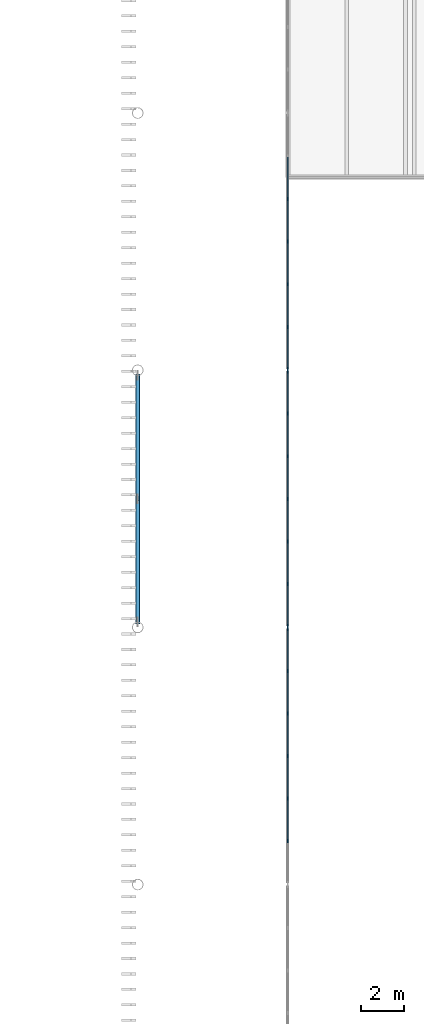
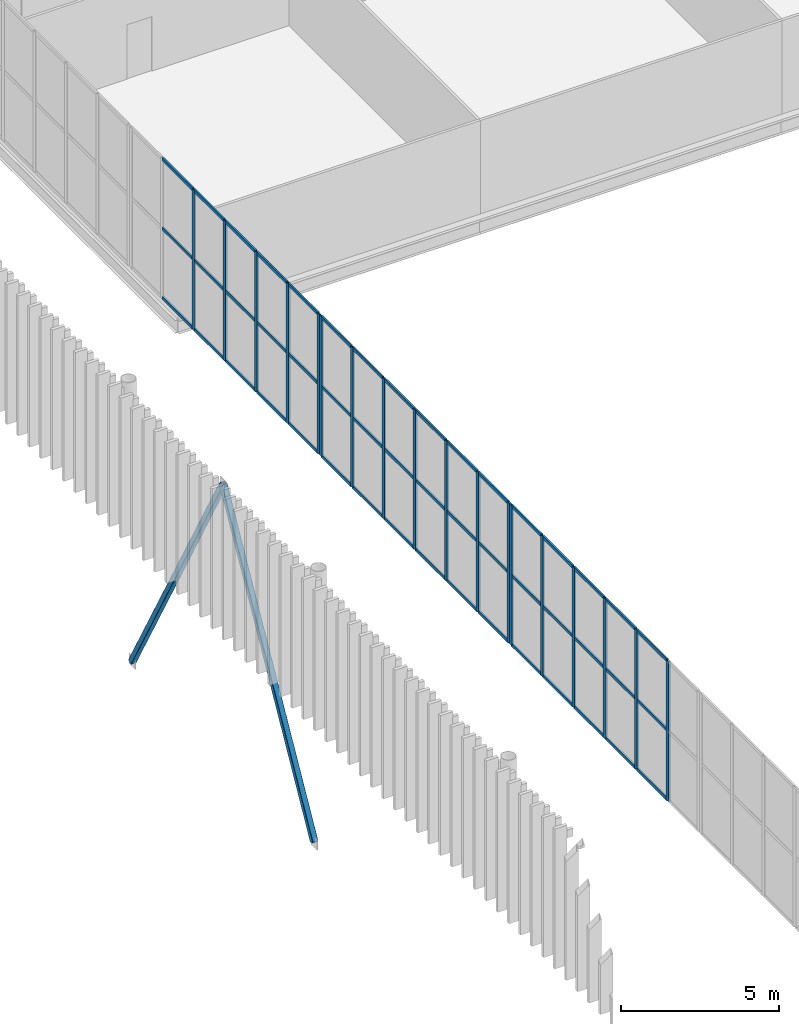
# One storey, part 62 of 170: 68 members, 3 elements without a shape of their own.
"""IFC4 building model written with IfcOpenShell, lengths in metres."""

import ifcopenshell
import ifcopenshell.guid

model = None  # the IFC model being written
_history = None  # IfcOwnerHistory: only IFC2X3 demands one
_inside = {}  # id of a spatial element -> (the spatial element, [elements in it])
_under = {}  # id of a project, library or spatial element -> (it, [spatial elements below it])
_declared = {}  # id of a project -> (the project, [libraries it declares])
_typed = {}  # id of a type object -> (the type object, [elements of that type])
_made_of = {}  # id of a material, layer set ... -> (it, [elements and type objects made of it])


def new_model(schema):
    """Start an empty IFC model of exactly this schema.

    Asked for "IFC4X3", IfcOpenShell would pick the latest addendum, in which some entities
    have other attributes; the version numbers below select the first issue.
    IFC2X3 requires an IfcOwnerHistory on every rooted entity: one is made here for all.
    """
    global model, _history
    if schema == "IFC4X3":
        model = ifcopenshell.file(schema_version=(4, 3, 0, 0))
    else:
        model = ifcopenshell.file(schema=schema)
    _inside.clear()
    _under.clear()
    _declared.clear()
    _typed.clear()
    _made_of.clear()
    _history = None
    if model.schema == "IFC2X3":
        org = make("IfcOrganization", Name="unknown")
        user = make(
            "IfcPersonAndOrganization",
            ThePerson=make("IfcPerson", FamilyName="unknown"),
            TheOrganization=org,
        )
        app = make(
            "IfcApplication",
            ApplicationDeveloper=org,
            Version="unknown",
            ApplicationFullName="unknown",
            ApplicationIdentifier="unknown",
        )
        _history = make(
            "IfcOwnerHistory",
            OwningUser=user,
            OwningApplication=app,
            ChangeAction="ADDED",
            CreationDate=0,
        )
    return model


def make(cls, **values):
    """One entity of the class cls with the attributes given. An attribute that is None is left unset."""
    return model.create_entity(
        cls, **{name: value for name, value in values.items() if value is not None}
    )


def rooted(cls, **values):
    """An entity with a GlobalId (a new one), such as an element, a storey or a relation."""
    return make(cls, GlobalId=ifcopenshell.guid.new(), OwnerHistory=_history, **values)


def si_unit(unit_type, name, prefix=None):
    """IfcSIUnit, for example si_unit("LENGTHUNIT", "METRE", prefix="MILLI")."""
    return make("IfcSIUnit", UnitType=unit_type, Prefix=prefix, Name=name)


def assignment(units):
    """IfcUnitAssignment: the units of a project."""
    return None if units is None else make("IfcUnitAssignment", Units=units)


def point(xyz):
    """IfcCartesianPoint."""
    return None if xyz is None else make("IfcCartesianPoint", Coordinates=xyz)


def direction(xyz):
    """IfcDirection."""
    return None if xyz is None else make("IfcDirection", DirectionRatios=xyz)


def frame(location, z_axis=None, x_axis=None):
    """IfcAxis2Placement3D, a coordinate frame: its origin and axes. An axis left out is left unset."""
    return make(
        "IfcAxis2Placement3D",
        Location=point(location),
        Axis=direction(z_axis),
        RefDirection=direction(x_axis),
    )


def frame_2d(location, x_axis=None):
    """IfcAxis2Placement2D, a coordinate frame in the plane: its origin and x axis."""
    return make(
        "IfcAxis2Placement2D", Location=point(location), RefDirection=direction(x_axis)
    )


def origin():
    """The frame at (0, 0, 0) with its axes left unset."""
    return frame((0.0, 0.0, 0.0))


def origin_2d():
    """The frame at (0, 0) in the plane with its x axis left unset."""
    return frame_2d((0.0, 0.0))


def place(relative_to, where):
    """IfcLocalPlacement: puts the frame where relative to a parent placement (None: the world)."""
    return make(
        "IfcLocalPlacement", PlacementRelTo=relative_to, RelativePlacement=where
    )


def context(
    kind, dimensions, precision=None, world=None, true_north=None, identifier=None
):
    """IfcGeometricRepresentationContext, for example the 3D "Model" context."""
    return make(
        "IfcGeometricRepresentationContext",
        ContextIdentifier=identifier,
        ContextType=kind,
        CoordinateSpaceDimension=dimensions,
        Precision=precision,
        WorldCoordinateSystem=world,
        TrueNorth=true_north,
    )


def subcontext(parent, identifier, kind, view, scale=None):
    """IfcGeometricRepresentationSubContext, for example "Body" below "Model"."""
    return make(
        "IfcGeometricRepresentationSubContext",
        ContextIdentifier=identifier,
        ContextType=kind,
        ParentContext=parent,
        TargetScale=scale,
        TargetView=view,
    )


def project(units=None, contexts=None):
    """IfcProject with its units and contexts."""
    return rooted(
        "IfcProject",
        Name="project",
        RepresentationContexts=contexts,
        UnitsInContext=assignment(units),
    )


def spatial(cls, under=None, at=None, **own):
    """A site, building, storey or space (cls), placed at a placement, below another one or the project."""
    s = rooted(cls, ObjectPlacement=at, **own)
    if under is not None:
        _under.setdefault(under.id(), (under, []))[1].append(s)
    return s


def profile(cls, at=None, kind="AREA", **sizes):
    """A parametric profile (cls). Its sizes go by their IFC names, for example OverallWidth=200.0."""
    return make(cls, ProfileType=kind, Position=at, **sizes)


def rectangle(**sizes):
    """IfcRectangleProfileDef."""
    return profile("IfcRectangleProfileDef", **sizes)


def hollow_rectangle(**sizes):
    """IfcRectangleHollowProfileDef."""
    return profile("IfcRectangleHollowProfileDef", **sizes)


def extrude(swept, where, along, depth):
    """IfcExtrudedAreaSolid: the profile swept, set in the frame where, extruded along a direction by depth."""
    return make(
        "IfcExtrudedAreaSolid",
        SweptArea=swept,
        Position=where,
        ExtrudedDirection=direction(along),
        Depth=depth,
    )


def shape(context_of_items, identifier, shape_type, items):
    """IfcShapeRepresentation: the items that make up one representation, for example the "Body"."""
    return make(
        "IfcShapeRepresentation",
        ContextOfItems=context_of_items,
        RepresentationIdentifier=identifier,
        RepresentationType=shape_type,
        Items=items,
    )


def material(Name=None, Category=None):
    """IfcMaterial."""
    return make("IfcMaterial", Name=Name, Category=Category)


def layer(
    of_material, thickness, ventilated=None, Name=None, Category=None, Priority=None
):
    """IfcMaterialLayer: one layer of a wall or slab, of a material (None: an air gap)."""
    return make(
        "IfcMaterialLayer",
        Material=of_material,
        LayerThickness=thickness,
        IsVentilated=ventilated,
        Name=Name,
        Category=Category,
        Priority=Priority,
    )


def layer_set(layers, Name=None):
    """IfcMaterialLayerSet."""
    return make("IfcMaterialLayerSet", MaterialLayers=layers, LayerSetName=Name)


def material_profile(
    of_material, cross_section, Name=None, Category=None, Priority=None
):
    """IfcMaterialProfile: a cross section and its material."""
    return make(
        "IfcMaterialProfile",
        Name=Name,
        Material=of_material,
        Profile=cross_section,
        Priority=Priority,
        Category=Category,
    )


def profile_set(profiles, Name=None, composite=None):
    """IfcMaterialProfileSet."""
    return make(
        "IfcMaterialProfileSet",
        Name=Name,
        MaterialProfiles=profiles,
        CompositeProfile=composite,
    )


def made_of(thing, what):
    """Note that an element or type object is made of a material, layer set ...; save() writes the relation."""
    if what is not None:
        _made_of.setdefault(what.id(), (what, []))[1].append(thing)
    return thing


def type_object(cls, material=None, **own):
    """A type object (cls), such as IfcWallType, which elements share."""
    return made_of(rooted(cls, **own), material)


def element(
    cls,
    number,
    at=None,
    inside=None,
    cuts=None,
    type_object=None,
    material=None,
    context=None,
    identifier="Body",
    shape_type=None,
    held_by="IfcProductDefinitionShape",
    body=None,
    shapes=None,
    **own,
):
    """One element of the class cls, such as IfcWall. Its Tag is "e" and its number.

    at: its placement. inside: the storey or other place that contains it. cuts: it is an
    opening in that element (IfcRelVoidsElement). A single representation is given by context,
    identifier, shape_type and body (its items); several are given by shapes. held_by: the class
    of the entity that holds the representations. save() writes the other relations.
    """
    e = rooted(cls, Tag="e%d" % number, ObjectPlacement=at, **own)
    if body is not None:
        shapes = [shape(context, identifier, shape_type, body)]
    if shapes is not None:
        e.Representation = make(held_by, Representations=shapes)
    if inside is not None:
        _inside.setdefault(inside.id(), (inside, []))[1].append(e)
    if cuts is not None:
        rooted(
            "IfcRelVoidsElement", RelatingBuildingElement=cuts, RelatedOpeningElement=e
        )
    if type_object is not None:
        _typed.setdefault(type_object.id(), (type_object, []))[1].append(e)
    return made_of(e, material)


def aggregate(whole, parts):
    """IfcRelAggregates: a whole, such as a stair, and the parts it consists of."""
    return rooted("IfcRelAggregates", RelatingObject=whole, RelatedObjects=parts)


def save(model, path):
    """Write the relations noted so far, then the file.

    IfcRelAggregates (storeys below a building ...), IfcRelContainedInSpatialStructure (elements
    in a storey), IfcRelDefinesByType, IfcRelAssociatesMaterial and IfcRelDeclares: one each for
    every whole, place, type object, material and project.
    """
    for whole, parts in _under.values():
        aggregate(whole, parts)
    for where, things in _inside.values():
        rooted(
            "IfcRelContainedInSpatialStructure",
            RelatedElements=things,
            RelatingStructure=where,
        )
    for kind, things in _typed.values():
        rooted("IfcRelDefinesByType", RelatedObjects=things, RelatingType=kind)
    for what, things in _made_of.values():
        rooted("IfcRelAssociatesMaterial", RelatedObjects=things, RelatingMaterial=what)
    for by, libraries in _declared.values():
        rooted("IfcRelDeclares", RelatingContext=by, RelatedDefinitions=libraries)
    model.write(path)


model = new_model("IFC4")

# Units and contexts
model_context = context("Model", 3, precision=1e-05, world=origin(), true_north=direction((0.0, 1.0)))
body_context = subcontext(model_context, "Body", "Model", "MODEL_VIEW")
ifc_project = project(units=[si_unit("LENGTHUNIT", "METRE"), si_unit("AREAUNIT", "SQUARE_METRE"), si_unit("VOLUMEUNIT", "CUBIC_METRE"), si_unit("PLANEANGLEUNIT", "RADIAN"), si_unit("MASSUNIT", "GRAM", prefix="KILO")], contexts=[model_context])

# Site, building, storey
site_placement = place(None, origin())
site = spatial("IfcSite", under=ifc_project, at=site_placement, CompositionType="ELEMENT")
building_placement = place(site_placement, origin())
building = spatial("IfcBuilding", under=site, at=building_placement, Name="Ravi Spectrum Wholesale Market", CompositionType="ELEMENT")
storey_placement = place(building_placement, frame((0.0, 0.0, 5.39990234375)))
storey = spatial("IfcBuildingStorey", under=building, at=storey_placement, Name="L01", CompositionType="ELEMENT", Elevation=5.39990234375)

# Curtain wall, members
ifc_material_1 = material(Name="Aluminium 6063-T6", Category="aluminium")
ifc_layer = layer(ifc_material_1, 0.14990234375)
ifc_layer_set = layer_set([ifc_layer], Name="Aluminium 6063-T6")
curtain_wall_type = type_object("IfcCurtainWallType", Name="Curtain wall 150", PredefinedType="NOTDEFINED", material=ifc_layer_set)
curtain_wall_1_placement = place(storey_placement, origin())
curtain_wall_1 = element("IfcCurtainWall", 1, at=curtain_wall_1_placement, inside=storey, type_object=curtain_wall_type, Name="H1-CW-L01-010", PredefinedType="NOTDEFINED")
ifc_material_2 = material(Name="Aluminium 6063-T6", Category="aluminium")
ifc_material_profile_1 = material_profile(ifc_material_2, rectangle(XDim=0.06005859375, YDim=0.159912109375, at=origin_2d()))
ifc_profile_set_1 = profile_set([ifc_material_profile_1], Name="Aluminium 6063-T6")
member_type_1 = type_object("IfcMemberType", Name="Mullion 60 x 160", PredefinedType="MULLION", material=ifc_profile_set_1)
member_1_placement = place(storey_placement, frame((37.0, 140.026611328125, 0.0), z_axis=(0.0, 0.0, 1.0), x_axis=(-1.0, 0.0, 0.0)))
member_1 = element("IfcMember", 2, at=member_1_placement, type_object=member_type_1, Name="H1-CW-L01-010 mullion 2", PredefinedType="MULLION", context=body_context, shape_type="SweptSolid", body=[
    extrude(rectangle(XDim=0.06005859375, YDim=0.159912109375, at=origin_2d()), origin(), (0.0, 0.0, 1.0), 5.400146484375),
])
member_2_placement = place(storey_placement, frame((37.0, 142.013427734375, 0.0), z_axis=(0.0, 0.0, 1.0), x_axis=(-1.0, 0.0, 0.0)))
member_2 = element("IfcMember", 3, at=member_2_placement, type_object=member_type_1, Name="H1-CW-L01-010 mullion 3", PredefinedType="MULLION", context=body_context, shape_type="SweptSolid", body=[
    extrude(rectangle(XDim=0.06005859375, YDim=0.159912109375, at=origin_2d()), origin(), (0.0, 0.0, 1.0), 5.400146484375),
])
member_3_placement = place(storey_placement, frame((37.0, 144.0, 0.0), z_axis=(0.0, 0.0, 1.0), x_axis=(-1.0, 0.0, 0.0)))
member_3 = element("IfcMember", 4, at=member_3_placement, type_object=member_type_1, Name="H1-CW-L01-010 mullion 4", PredefinedType="MULLION", context=body_context, shape_type="SweptSolid", body=[
    extrude(rectangle(XDim=0.06005859375, YDim=0.159912109375, at=origin_2d()), origin(), (0.0, 0.0, 1.0), 5.400146484375),
])
member_4_placement = place(storey_placement, frame((37.0, 145.986572265625, 0.0), z_axis=(0.0, 0.0, 1.0), x_axis=(-1.0, 0.0, 0.0)))
member_4 = element("IfcMember", 5, at=member_4_placement, type_object=member_type_1, Name="H1-CW-L01-010 mullion 5", PredefinedType="MULLION", context=body_context, shape_type="SweptSolid", body=[
    extrude(rectangle(XDim=0.06005859375, YDim=0.159912109375, at=origin_2d()), origin(), (0.0, 0.0, 1.0), 5.400146484375),
])
member_5_placement = place(storey_placement, frame((37.0, 147.973388671875, 0.0), z_axis=(0.0, 0.0, 1.0), x_axis=(-1.0, 0.0, 0.0)))
member_5 = element("IfcMember", 6, at=member_5_placement, type_object=member_type_1, Name="H1-CW-L01-010 mullion 6", PredefinedType="MULLION", context=body_context, shape_type="SweptSolid", body=[
    extrude(rectangle(XDim=0.06005859375, YDim=0.159912109375, at=origin_2d()), origin(), (0.0, 0.0, 1.0), 5.400146484375),
])
member_6_placement = place(storey_placement, frame((37.0, 149.929931640625, 0.0), z_axis=(0.0, 0.0, 1.0), x_axis=(-1.0, 0.0, 0.0)))
member_6 = element("IfcMember", 7, at=member_6_placement, type_object=member_type_1, Name="H1-CW-L01-010 mullion 7", PredefinedType="MULLION", context=body_context, shape_type="SweptSolid", body=[
    extrude(rectangle(XDim=0.06005859375, YDim=0.159912109375, at=origin_2d()), origin(), (0.0, 0.0, 1.0), 5.400146484375),
])

curtain_wall_2_placement = place(storey_placement, origin())
curtain_wall_2 = element("IfcCurtainWall", 8, at=curtain_wall_2_placement, inside=storey, type_object=curtain_wall_type, Name="H1-CW-L01-011", PredefinedType="NOTDEFINED")
member_7_placement = place(storey_placement, frame((37.0, 150.070068359375, 0.0), z_axis=(0.0, 0.0, 1.0), x_axis=(-1.0, 0.0, 0.0)))
member_7 = element("IfcMember", 9, at=member_7_placement, type_object=member_type_1, Name="H1-CW-L01-011 mullion 1", PredefinedType="MULLION", context=body_context, shape_type="SweptSolid", body=[
    extrude(rectangle(XDim=0.06005859375, YDim=0.159912109375, at=origin_2d()), origin(), (0.0, 0.0, 1.0), 5.400146484375),
])
member_8_placement = place(storey_placement, frame((37.0, 152.026611328125, 0.0), z_axis=(0.0, 0.0, 1.0), x_axis=(-1.0, 0.0, 0.0)))
member_8 = element("IfcMember", 10, at=member_8_placement, type_object=member_type_1, Name="H1-CW-L01-011 mullion 2", PredefinedType="MULLION", context=body_context, shape_type="SweptSolid", body=[
    extrude(rectangle(XDim=0.06005859375, YDim=0.159912109375, at=origin_2d()), origin(), (0.0, 0.0, 1.0), 5.400146484375),
])
member_9_placement = place(storey_placement, frame((37.0, 154.013427734375, 0.0), z_axis=(0.0, 0.0, 1.0), x_axis=(-1.0, 0.0, 0.0)))
member_9 = element("IfcMember", 11, at=member_9_placement, type_object=member_type_1, Name="H1-CW-L01-011 mullion 3", PredefinedType="MULLION", context=body_context, shape_type="SweptSolid", body=[
    extrude(rectangle(XDim=0.06005859375, YDim=0.159912109375, at=origin_2d()), origin(), (0.0, 0.0, 1.0), 5.400146484375),
])
member_10_placement = place(storey_placement, frame((37.0, 156.0, 0.0), z_axis=(0.0, 0.0, 1.0), x_axis=(-1.0, 0.0, 0.0)))
member_10 = element("IfcMember", 12, at=member_10_placement, type_object=member_type_1, Name="H1-CW-L01-011 mullion 4", PredefinedType="MULLION", context=body_context, shape_type="SweptSolid", body=[
    extrude(rectangle(XDim=0.06005859375, YDim=0.159912109375, at=origin_2d()), origin(), (0.0, 0.0, 1.0), 5.400146484375),
])
member_11_placement = place(storey_placement, frame((37.0, 157.986572265625, 0.0), z_axis=(0.0, 0.0, 1.0), x_axis=(-1.0, 0.0, 0.0)))
member_11 = element("IfcMember", 13, at=member_11_placement, type_object=member_type_1, Name="H1-CW-L01-011 mullion 5", PredefinedType="MULLION", context=body_context, shape_type="SweptSolid", body=[
    extrude(rectangle(XDim=0.06005859375, YDim=0.159912109375, at=origin_2d()), origin(), (0.0, 0.0, 1.0), 5.400146484375),
])
member_12_placement = place(storey_placement, frame((37.0, 159.973388671875, 0.0), z_axis=(0.0, 0.0, 1.0), x_axis=(-1.0, 0.0, 0.0)))
member_12 = element("IfcMember", 14, at=member_12_placement, type_object=member_type_1, Name="H1-CW-L01-011 mullion 6", PredefinedType="MULLION", context=body_context, shape_type="SweptSolid", body=[
    extrude(rectangle(XDim=0.06005859375, YDim=0.159912109375, at=origin_2d()), origin(), (0.0, 0.0, 1.0), 5.400146484375),
])
member_13_placement = place(storey_placement, frame((37.0, 161.929931640625, 0.0), z_axis=(0.0, 0.0, 1.0), x_axis=(-1.0, 0.0, 0.0)))
member_13 = element("IfcMember", 15, at=member_13_placement, type_object=member_type_1, Name="H1-CW-L01-011 mullion 7", PredefinedType="MULLION", context=body_context, shape_type="SweptSolid", body=[
    extrude(rectangle(XDim=0.06005859375, YDim=0.159912109375, at=origin_2d()), origin(), (0.0, 0.0, 1.0), 5.400146484375),
])

curtain_wall_3_placement = place(storey_placement, origin())
curtain_wall_3 = element("IfcCurtainWall", 16, at=curtain_wall_3_placement, inside=storey, type_object=curtain_wall_type, Name="H1-CW-L01-012", PredefinedType="NOTDEFINED")
member_14_placement = place(storey_placement, frame((37.0, 162.070068359375, 0.0), z_axis=(0.0, 0.0, 1.0), x_axis=(-1.0, 0.0, 0.0)))
member_14 = element("IfcMember", 17, at=member_14_placement, type_object=member_type_1, Name="H1-CW-L01-012 mullion 1", PredefinedType="MULLION", context=body_context, shape_type="SweptSolid", body=[
    extrude(rectangle(XDim=0.06005859375, YDim=0.159912109375, at=origin_2d()), origin(), (0.0, 0.0, 1.0), 5.400146484375),
])
member_15_placement = place(storey_placement, frame((37.0, 164.026611328125, 0.0), z_axis=(0.0, 0.0, 1.0), x_axis=(-1.0, 0.0, 0.0)))
member_15 = element("IfcMember", 18, at=member_15_placement, type_object=member_type_1, Name="H1-CW-L01-012 mullion 2", PredefinedType="MULLION", context=body_context, shape_type="SweptSolid", body=[
    extrude(rectangle(XDim=0.06005859375, YDim=0.159912109375, at=origin_2d()), origin(), (0.0, 0.0, 1.0), 5.400146484375),
])
member_16_placement = place(storey_placement, frame((37.0, 166.013427734375, 0.0), z_axis=(0.0, 0.0, 1.0), x_axis=(-1.0, 0.0, 0.0)))
member_16 = element("IfcMember", 19, at=member_16_placement, type_object=member_type_1, Name="H1-CW-L01-012 mullion 3", PredefinedType="MULLION", context=body_context, shape_type="SweptSolid", body=[
    extrude(rectangle(XDim=0.06005859375, YDim=0.159912109375, at=origin_2d()), origin(), (0.0, 0.0, 1.0), 5.400146484375),
])
member_17_placement = place(storey_placement, frame((37.0, 168.0, 0.0), z_axis=(0.0, 0.0, 1.0), x_axis=(-1.0, 0.0, 0.0)))
member_17 = element("IfcMember", 20, at=member_17_placement, type_object=member_type_1, Name="H1-CW-L01-012 mullion 4", PredefinedType="MULLION", context=body_context, shape_type="SweptSolid", body=[
    extrude(rectangle(XDim=0.06005859375, YDim=0.159912109375, at=origin_2d()), origin(), (0.0, 0.0, 1.0), 5.400146484375),
])
member_18_placement = place(storey_placement, frame((37.0, 169.986572265625, 0.0), z_axis=(0.0, 0.0, 1.0), x_axis=(-1.0, 0.0, 0.0)))
member_18 = element("IfcMember", 21, at=member_18_placement, type_object=member_type_1, Name="H1-CW-L01-012 mullion 5", PredefinedType="MULLION", context=body_context, shape_type="SweptSolid", body=[
    extrude(rectangle(XDim=0.06005859375, YDim=0.159912109375, at=origin_2d()), origin(), (0.0, 0.0, 1.0), 5.400146484375),
])

# Members
ifc_material_3 = material(Name="Steel S355", Category="steel")
ifc_material_profile_2 = material_profile(ifc_material_3, hollow_rectangle(XDim=0.199951171875, YDim=0.199951171875, WallThickness=0.008056640625, InnerFilletRadius=0.008056640625, OuterFilletRadius=0.01611328125, at=origin_2d()))
ifc_profile_set_2 = profile_set([ifc_material_profile_2], Name="Steel S355")
member_type_2 = type_object("IfcMemberType", Name="SHS 200x200x8 brace", PredefinedType="BRACE", material=ifc_profile_set_2)
for number, where, z_axis, x_axis, name in (
    (22, (30.0, 150.25390625, -5.350830078125), (0.0, 0.487151805571, 0.873317306784), (-1.0, 0.0, 0.0), "H1-MB-L01-009"),
    (23, (30.0, 161.74609375, -5.350830078125), (0.0, -0.487151805571, 0.873317306784), (1.0, 0.0, 0.0), "H1-MB-L01-010"),
):
    element("IfcMember", number, at=place(storey_placement, frame(where, z_axis=z_axis, x_axis=x_axis)), inside=storey, type_object=member_type_2, Name=name, PredefinedType="BRACE", context=body_context, shape_type="SweptSolid", body=[
        extrude(hollow_rectangle(XDim=0.199951171875, YDim=0.199951171875, WallThickness=0.008056640625, InnerFilletRadius=0.008056640625, OuterFilletRadius=0.01611328125, at=origin_2d()), origin(), (0.0, 0.0, 1.0), 11.795166015625),
    ])

# Member
ifc_material_4 = material(Name="Aluminium 6063-T6", Category="aluminium")
ifc_material_profile_3 = material_profile(ifc_material_4, rectangle(XDim=0.06005859375, YDim=0.1201171875, at=origin_2d()))
ifc_profile_set_3 = profile_set([ifc_material_profile_3], Name="Aluminium 6063-T6")
member_type_3 = type_object("IfcMemberType", Name="Transom 60 x 120", PredefinedType="USERDEFINED", material=ifc_profile_set_3)
member_19_placement = place(storey_placement, frame((37.0, 140.056640625, 0.030029296875), z_axis=(0.0, 1.0, 0.0), x_axis=(-1.0, 0.0, 0.0)))
member_19 = element("IfcMember", 24, at=member_19_placement, type_object=member_type_3, Name="H1-CW-L01-010 transom 2.1", ObjectType="TRANSOM", PredefinedType="USERDEFINED", context=body_context, shape_type="SweptSolid", body=[
    extrude(rectangle(XDim=0.06005859375, YDim=0.1201171875, at=origin_2d()), origin(), (0.0, 0.0, 1.0), 1.9267578125),
])

member_20_placement = place(storey_placement, frame((37.0, 140.056640625, 2.7001953125), z_axis=(0.0, 1.0, 0.0), x_axis=(-1.0, 0.0, 0.0)))
member_20 = element("IfcMember", 25, at=member_20_placement, type_object=member_type_3, Name="H1-CW-L01-010 transom 2.2", ObjectType="TRANSOM", PredefinedType="USERDEFINED", context=body_context, shape_type="SweptSolid", body=[
    extrude(rectangle(XDim=0.06005859375, YDim=0.1201171875, at=origin_2d()), origin(), (0.0, 0.0, 1.0), 1.9267578125),
])

member_21_placement = place(storey_placement, frame((37.0, 140.056640625, 5.3701171875), z_axis=(0.0, 1.0, 0.0), x_axis=(-1.0, 0.0, 0.0)))
member_21 = element("IfcMember", 26, at=member_21_placement, type_object=member_type_3, Name="H1-CW-L01-010 transom 2.3", ObjectType="TRANSOM", PredefinedType="USERDEFINED", context=body_context, shape_type="SweptSolid", body=[
    extrude(rectangle(XDim=0.06005859375, YDim=0.1201171875, at=origin_2d()), origin(), (0.0, 0.0, 1.0), 1.9267578125),
])

member_22_placement = place(storey_placement, frame((37.0, 142.043212890625, 0.030029296875), z_axis=(0.0, 1.0, 0.0), x_axis=(-1.0, 0.0, 0.0)))
member_22 = element("IfcMember", 27, at=member_22_placement, type_object=member_type_3, Name="H1-CW-L01-010 transom 3.1", ObjectType="TRANSOM", PredefinedType="USERDEFINED", context=body_context, shape_type="SweptSolid", body=[
    extrude(rectangle(XDim=0.06005859375, YDim=0.1201171875, at=origin_2d()), origin(), (0.0, 0.0, 1.0), 1.9267578125),
])

member_23_placement = place(storey_placement, frame((37.0, 142.043212890625, 2.7001953125), z_axis=(0.0, 1.0, 0.0), x_axis=(-1.0, 0.0, 0.0)))
member_23 = element("IfcMember", 28, at=member_23_placement, type_object=member_type_3, Name="H1-CW-L01-010 transom 3.2", ObjectType="TRANSOM", PredefinedType="USERDEFINED", context=body_context, shape_type="SweptSolid", body=[
    extrude(rectangle(XDim=0.06005859375, YDim=0.1201171875, at=origin_2d()), origin(), (0.0, 0.0, 1.0), 1.9267578125),
])

member_24_placement = place(storey_placement, frame((37.0, 142.043212890625, 5.3701171875), z_axis=(0.0, 1.0, 0.0), x_axis=(-1.0, 0.0, 0.0)))
member_24 = element("IfcMember", 29, at=member_24_placement, type_object=member_type_3, Name="H1-CW-L01-010 transom 3.3", ObjectType="TRANSOM", PredefinedType="USERDEFINED", context=body_context, shape_type="SweptSolid", body=[
    extrude(rectangle(XDim=0.06005859375, YDim=0.1201171875, at=origin_2d()), origin(), (0.0, 0.0, 1.0), 1.9267578125),
])

member_25_placement = place(storey_placement, frame((37.0, 144.030029296875, 0.030029296875), z_axis=(0.0, 1.0, 0.0), x_axis=(-1.0, 0.0, 0.0)))
member_25 = element("IfcMember", 30, at=member_25_placement, type_object=member_type_3, Name="H1-CW-L01-010 transom 4.1", ObjectType="TRANSOM", PredefinedType="USERDEFINED", context=body_context, shape_type="SweptSolid", body=[
    extrude(rectangle(XDim=0.06005859375, YDim=0.1201171875, at=origin_2d()), origin(), (0.0, 0.0, 1.0), 1.9267578125),
])

member_26_placement = place(storey_placement, frame((37.0, 144.030029296875, 2.7001953125), z_axis=(0.0, 1.0, 0.0), x_axis=(-1.0, 0.0, 0.0)))
member_26 = element("IfcMember", 31, at=member_26_placement, type_object=member_type_3, Name="H1-CW-L01-010 transom 4.2", ObjectType="TRANSOM", PredefinedType="USERDEFINED", context=body_context, shape_type="SweptSolid", body=[
    extrude(rectangle(XDim=0.06005859375, YDim=0.1201171875, at=origin_2d()), origin(), (0.0, 0.0, 1.0), 1.9267578125),
])

member_27_placement = place(storey_placement, frame((37.0, 144.030029296875, 5.3701171875), z_axis=(0.0, 1.0, 0.0), x_axis=(-1.0, 0.0, 0.0)))
member_27 = element("IfcMember", 32, at=member_27_placement, type_object=member_type_3, Name="H1-CW-L01-010 transom 4.3", ObjectType="TRANSOM", PredefinedType="USERDEFINED", context=body_context, shape_type="SweptSolid", body=[
    extrude(rectangle(XDim=0.06005859375, YDim=0.1201171875, at=origin_2d()), origin(), (0.0, 0.0, 1.0), 1.9267578125),
])

member_28_placement = place(storey_placement, frame((37.0, 146.0166015625, 0.030029296875), z_axis=(0.0, 1.0, 0.0), x_axis=(-1.0, 0.0, 0.0)))
member_28 = element("IfcMember", 33, at=member_28_placement, type_object=member_type_3, Name="H1-CW-L01-010 transom 5.1", ObjectType="TRANSOM", PredefinedType="USERDEFINED", context=body_context, shape_type="SweptSolid", body=[
    extrude(rectangle(XDim=0.06005859375, YDim=0.1201171875, at=origin_2d()), origin(), (0.0, 0.0, 1.0), 1.9267578125),
])

member_29_placement = place(storey_placement, frame((37.0, 146.0166015625, 2.7001953125), z_axis=(0.0, 1.0, 0.0), x_axis=(-1.0, 0.0, 0.0)))
member_29 = element("IfcMember", 34, at=member_29_placement, type_object=member_type_3, Name="H1-CW-L01-010 transom 5.2", ObjectType="TRANSOM", PredefinedType="USERDEFINED", context=body_context, shape_type="SweptSolid", body=[
    extrude(rectangle(XDim=0.06005859375, YDim=0.1201171875, at=origin_2d()), origin(), (0.0, 0.0, 1.0), 1.9267578125),
])

member_30_placement = place(storey_placement, frame((37.0, 146.0166015625, 5.3701171875), z_axis=(0.0, 1.0, 0.0), x_axis=(-1.0, 0.0, 0.0)))
member_30 = element("IfcMember", 35, at=member_30_placement, type_object=member_type_3, Name="H1-CW-L01-010 transom 5.3", ObjectType="TRANSOM", PredefinedType="USERDEFINED", context=body_context, shape_type="SweptSolid", body=[
    extrude(rectangle(XDim=0.06005859375, YDim=0.1201171875, at=origin_2d()), origin(), (0.0, 0.0, 1.0), 1.9267578125),
])

member_31_placement = place(storey_placement, frame((37.0, 148.00341796875, 0.030029296875), z_axis=(0.0, 1.0, 0.0), x_axis=(-1.0, 0.0, 0.0)))
member_31 = element("IfcMember", 36, at=member_31_placement, type_object=member_type_3, Name="H1-CW-L01-010 transom 6.1", ObjectType="TRANSOM", PredefinedType="USERDEFINED", context=body_context, shape_type="SweptSolid", body=[
    extrude(rectangle(XDim=0.06005859375, YDim=0.1201171875, at=origin_2d()), origin(), (0.0, 0.0, 1.0), 1.896484375),
])

member_32_placement = place(storey_placement, frame((37.0, 148.00341796875, 2.7001953125), z_axis=(0.0, 1.0, 0.0), x_axis=(-1.0, 0.0, 0.0)))
member_32 = element("IfcMember", 37, at=member_32_placement, type_object=member_type_3, Name="H1-CW-L01-010 transom 6.2", ObjectType="TRANSOM", PredefinedType="USERDEFINED", context=body_context, shape_type="SweptSolid", body=[
    extrude(rectangle(XDim=0.06005859375, YDim=0.1201171875, at=origin_2d()), origin(), (0.0, 0.0, 1.0), 1.896484375),
])

member_33_placement = place(storey_placement, frame((37.0, 148.00341796875, 5.3701171875), z_axis=(0.0, 1.0, 0.0), x_axis=(-1.0, 0.0, 0.0)))
member_33 = element("IfcMember", 38, at=member_33_placement, type_object=member_type_3, Name="H1-CW-L01-010 transom 6.3", ObjectType="TRANSOM", PredefinedType="USERDEFINED", context=body_context, shape_type="SweptSolid", body=[
    extrude(rectangle(XDim=0.06005859375, YDim=0.1201171875, at=origin_2d()), origin(), (0.0, 0.0, 1.0), 1.896484375),
])

aggregate(curtain_wall_1, [member_1, member_2, member_3, member_4, member_5, member_6, member_19, member_20, member_21, member_22, member_23, member_24, member_25, member_26, member_27, member_28, member_29, member_30, member_31, member_32, member_33])

member_34_placement = place(storey_placement, frame((37.0, 150.10009765625, 0.030029296875), z_axis=(0.0, 1.0, 0.0), x_axis=(-1.0, 0.0, 0.0)))
member_34 = element("IfcMember", 39, at=member_34_placement, type_object=member_type_3, Name="H1-CW-L01-011 transom 1.1", ObjectType="TRANSOM", PredefinedType="USERDEFINED", context=body_context, shape_type="SweptSolid", body=[
    extrude(rectangle(XDim=0.06005859375, YDim=0.1201171875, at=origin_2d()), origin(), (0.0, 0.0, 1.0), 1.896484375),
])

member_35_placement = place(storey_placement, frame((37.0, 150.10009765625, 2.7001953125), z_axis=(0.0, 1.0, 0.0), x_axis=(-1.0, 0.0, 0.0)))
member_35 = element("IfcMember", 40, at=member_35_placement, type_object=member_type_3, Name="H1-CW-L01-011 transom 1.2", ObjectType="TRANSOM", PredefinedType="USERDEFINED", context=body_context, shape_type="SweptSolid", body=[
    extrude(rectangle(XDim=0.06005859375, YDim=0.1201171875, at=origin_2d()), origin(), (0.0, 0.0, 1.0), 1.896484375),
])

member_36_placement = place(storey_placement, frame((37.0, 150.10009765625, 5.3701171875), z_axis=(0.0, 1.0, 0.0), x_axis=(-1.0, 0.0, 0.0)))
member_36 = element("IfcMember", 41, at=member_36_placement, type_object=member_type_3, Name="H1-CW-L01-011 transom 1.3", ObjectType="TRANSOM", PredefinedType="USERDEFINED", context=body_context, shape_type="SweptSolid", body=[
    extrude(rectangle(XDim=0.06005859375, YDim=0.1201171875, at=origin_2d()), origin(), (0.0, 0.0, 1.0), 1.896484375),
])

member_37_placement = place(storey_placement, frame((37.0, 152.056640625, 0.030029296875), z_axis=(0.0, 1.0, 0.0), x_axis=(-1.0, 0.0, 0.0)))
member_37 = element("IfcMember", 42, at=member_37_placement, type_object=member_type_3, Name="H1-CW-L01-011 transom 2.1", ObjectType="TRANSOM", PredefinedType="USERDEFINED", context=body_context, shape_type="SweptSolid", body=[
    extrude(rectangle(XDim=0.06005859375, YDim=0.1201171875, at=origin_2d()), origin(), (0.0, 0.0, 1.0), 1.9267578125),
])

member_38_placement = place(storey_placement, frame((37.0, 152.056640625, 2.7001953125), z_axis=(0.0, 1.0, 0.0), x_axis=(-1.0, 0.0, 0.0)))
member_38 = element("IfcMember", 43, at=member_38_placement, type_object=member_type_3, Name="H1-CW-L01-011 transom 2.2", ObjectType="TRANSOM", PredefinedType="USERDEFINED", context=body_context, shape_type="SweptSolid", body=[
    extrude(rectangle(XDim=0.06005859375, YDim=0.1201171875, at=origin_2d()), origin(), (0.0, 0.0, 1.0), 1.9267578125),
])

member_39_placement = place(storey_placement, frame((37.0, 152.056640625, 5.3701171875), z_axis=(0.0, 1.0, 0.0), x_axis=(-1.0, 0.0, 0.0)))
member_39 = element("IfcMember", 44, at=member_39_placement, type_object=member_type_3, Name="H1-CW-L01-011 transom 2.3", ObjectType="TRANSOM", PredefinedType="USERDEFINED", context=body_context, shape_type="SweptSolid", body=[
    extrude(rectangle(XDim=0.06005859375, YDim=0.1201171875, at=origin_2d()), origin(), (0.0, 0.0, 1.0), 1.9267578125),
])

member_40_placement = place(storey_placement, frame((37.0, 154.043212890625, 0.030029296875), z_axis=(0.0, 1.0, 0.0), x_axis=(-1.0, 0.0, 0.0)))
member_40 = element("IfcMember", 45, at=member_40_placement, type_object=member_type_3, Name="H1-CW-L01-011 transom 3.1", ObjectType="TRANSOM", PredefinedType="USERDEFINED", context=body_context, shape_type="SweptSolid", body=[
    extrude(rectangle(XDim=0.06005859375, YDim=0.1201171875, at=origin_2d()), origin(), (0.0, 0.0, 1.0), 1.9267578125),
])

member_41_placement = place(storey_placement, frame((37.0, 154.043212890625, 2.7001953125), z_axis=(0.0, 1.0, 0.0), x_axis=(-1.0, 0.0, 0.0)))
member_41 = element("IfcMember", 46, at=member_41_placement, type_object=member_type_3, Name="H1-CW-L01-011 transom 3.2", ObjectType="TRANSOM", PredefinedType="USERDEFINED", context=body_context, shape_type="SweptSolid", body=[
    extrude(rectangle(XDim=0.06005859375, YDim=0.1201171875, at=origin_2d()), origin(), (0.0, 0.0, 1.0), 1.9267578125),
])

member_42_placement = place(storey_placement, frame((37.0, 154.043212890625, 5.3701171875), z_axis=(0.0, 1.0, 0.0), x_axis=(-1.0, 0.0, 0.0)))
member_42 = element("IfcMember", 47, at=member_42_placement, type_object=member_type_3, Name="H1-CW-L01-011 transom 3.3", ObjectType="TRANSOM", PredefinedType="USERDEFINED", context=body_context, shape_type="SweptSolid", body=[
    extrude(rectangle(XDim=0.06005859375, YDim=0.1201171875, at=origin_2d()), origin(), (0.0, 0.0, 1.0), 1.9267578125),
])

member_43_placement = place(storey_placement, frame((37.0, 156.030029296875, 0.030029296875), z_axis=(0.0, 1.0, 0.0), x_axis=(-1.0, 0.0, 0.0)))
member_43 = element("IfcMember", 48, at=member_43_placement, type_object=member_type_3, Name="H1-CW-L01-011 transom 4.1", ObjectType="TRANSOM", PredefinedType="USERDEFINED", context=body_context, shape_type="SweptSolid", body=[
    extrude(rectangle(XDim=0.06005859375, YDim=0.1201171875, at=origin_2d()), origin(), (0.0, 0.0, 1.0), 1.9267578125),
])

member_44_placement = place(storey_placement, frame((37.0, 156.030029296875, 2.7001953125), z_axis=(0.0, 1.0, 0.0), x_axis=(-1.0, 0.0, 0.0)))
member_44 = element("IfcMember", 49, at=member_44_placement, type_object=member_type_3, Name="H1-CW-L01-011 transom 4.2", ObjectType="TRANSOM", PredefinedType="USERDEFINED", context=body_context, shape_type="SweptSolid", body=[
    extrude(rectangle(XDim=0.06005859375, YDim=0.1201171875, at=origin_2d()), origin(), (0.0, 0.0, 1.0), 1.9267578125),
])

member_45_placement = place(storey_placement, frame((37.0, 156.030029296875, 5.3701171875), z_axis=(0.0, 1.0, 0.0), x_axis=(-1.0, 0.0, 0.0)))
member_45 = element("IfcMember", 50, at=member_45_placement, type_object=member_type_3, Name="H1-CW-L01-011 transom 4.3", ObjectType="TRANSOM", PredefinedType="USERDEFINED", context=body_context, shape_type="SweptSolid", body=[
    extrude(rectangle(XDim=0.06005859375, YDim=0.1201171875, at=origin_2d()), origin(), (0.0, 0.0, 1.0), 1.9267578125),
])

member_46_placement = place(storey_placement, frame((37.0, 158.0166015625, 0.030029296875), z_axis=(0.0, 1.0, 0.0), x_axis=(-1.0, 0.0, 0.0)))
member_46 = element("IfcMember", 51, at=member_46_placement, type_object=member_type_3, Name="H1-CW-L01-011 transom 5.1", ObjectType="TRANSOM", PredefinedType="USERDEFINED", context=body_context, shape_type="SweptSolid", body=[
    extrude(rectangle(XDim=0.06005859375, YDim=0.1201171875, at=origin_2d()), origin(), (0.0, 0.0, 1.0), 1.9267578125),
])

member_47_placement = place(storey_placement, frame((37.0, 158.0166015625, 2.7001953125), z_axis=(0.0, 1.0, 0.0), x_axis=(-1.0, 0.0, 0.0)))
member_47 = element("IfcMember", 52, at=member_47_placement, type_object=member_type_3, Name="H1-CW-L01-011 transom 5.2", ObjectType="TRANSOM", PredefinedType="USERDEFINED", context=body_context, shape_type="SweptSolid", body=[
    extrude(rectangle(XDim=0.06005859375, YDim=0.1201171875, at=origin_2d()), origin(), (0.0, 0.0, 1.0), 1.9267578125),
])

member_48_placement = place(storey_placement, frame((37.0, 158.0166015625, 5.3701171875), z_axis=(0.0, 1.0, 0.0), x_axis=(-1.0, 0.0, 0.0)))
member_48 = element("IfcMember", 53, at=member_48_placement, type_object=member_type_3, Name="H1-CW-L01-011 transom 5.3", ObjectType="TRANSOM", PredefinedType="USERDEFINED", context=body_context, shape_type="SweptSolid", body=[
    extrude(rectangle(XDim=0.06005859375, YDim=0.1201171875, at=origin_2d()), origin(), (0.0, 0.0, 1.0), 1.9267578125),
])

member_49_placement = place(storey_placement, frame((37.0, 160.00341796875, 0.030029296875), z_axis=(0.0, 1.0, 0.0), x_axis=(-1.0, 0.0, 0.0)))
member_49 = element("IfcMember", 54, at=member_49_placement, type_object=member_type_3, Name="H1-CW-L01-011 transom 6.1", ObjectType="TRANSOM", PredefinedType="USERDEFINED", context=body_context, shape_type="SweptSolid", body=[
    extrude(rectangle(XDim=0.06005859375, YDim=0.1201171875, at=origin_2d()), origin(), (0.0, 0.0, 1.0), 1.896484375),
])

member_50_placement = place(storey_placement, frame((37.0, 160.00341796875, 2.7001953125), z_axis=(0.0, 1.0, 0.0), x_axis=(-1.0, 0.0, 0.0)))
member_50 = element("IfcMember", 55, at=member_50_placement, type_object=member_type_3, Name="H1-CW-L01-011 transom 6.2", ObjectType="TRANSOM", PredefinedType="USERDEFINED", context=body_context, shape_type="SweptSolid", body=[
    extrude(rectangle(XDim=0.06005859375, YDim=0.1201171875, at=origin_2d()), origin(), (0.0, 0.0, 1.0), 1.896484375),
])

member_51_placement = place(storey_placement, frame((37.0, 160.00341796875, 5.3701171875), z_axis=(0.0, 1.0, 0.0), x_axis=(-1.0, 0.0, 0.0)))
member_51 = element("IfcMember", 56, at=member_51_placement, type_object=member_type_3, Name="H1-CW-L01-011 transom 6.3", ObjectType="TRANSOM", PredefinedType="USERDEFINED", context=body_context, shape_type="SweptSolid", body=[
    extrude(rectangle(XDim=0.06005859375, YDim=0.1201171875, at=origin_2d()), origin(), (0.0, 0.0, 1.0), 1.896484375),
])

aggregate(curtain_wall_2, [member_7, member_8, member_9, member_10, member_11, member_12, member_13, member_34, member_35, member_36, member_37, member_38, member_39, member_40, member_41, member_42, member_43, member_44, member_45, member_46, member_47, member_48, member_49, member_50, member_51])

member_52_placement = place(storey_placement, frame((37.0, 162.10009765625, 0.030029296875), z_axis=(0.0, 1.0, 0.0), x_axis=(-1.0, 0.0, 0.0)))
member_52 = element("IfcMember", 57, at=member_52_placement, type_object=member_type_3, Name="H1-CW-L01-012 transom 1.1", ObjectType="TRANSOM", PredefinedType="USERDEFINED", context=body_context, shape_type="SweptSolid", body=[
    extrude(rectangle(XDim=0.06005859375, YDim=0.1201171875, at=origin_2d()), origin(), (0.0, 0.0, 1.0), 1.896484375),
])

member_53_placement = place(storey_placement, frame((37.0, 162.10009765625, 2.7001953125), z_axis=(0.0, 1.0, 0.0), x_axis=(-1.0, 0.0, 0.0)))
member_53 = element("IfcMember", 58, at=member_53_placement, type_object=member_type_3, Name="H1-CW-L01-012 transom 1.2", ObjectType="TRANSOM", PredefinedType="USERDEFINED", context=body_context, shape_type="SweptSolid", body=[
    extrude(rectangle(XDim=0.06005859375, YDim=0.1201171875, at=origin_2d()), origin(), (0.0, 0.0, 1.0), 1.896484375),
])

member_54_placement = place(storey_placement, frame((37.0, 162.10009765625, 5.3701171875), z_axis=(0.0, 1.0, 0.0), x_axis=(-1.0, 0.0, 0.0)))
member_54 = element("IfcMember", 59, at=member_54_placement, type_object=member_type_3, Name="H1-CW-L01-012 transom 1.3", ObjectType="TRANSOM", PredefinedType="USERDEFINED", context=body_context, shape_type="SweptSolid", body=[
    extrude(rectangle(XDim=0.06005859375, YDim=0.1201171875, at=origin_2d()), origin(), (0.0, 0.0, 1.0), 1.896484375),
])

member_55_placement = place(storey_placement, frame((37.0, 164.056640625, 0.030029296875), z_axis=(0.0, 1.0, 0.0), x_axis=(-1.0, 0.0, 0.0)))
member_55 = element("IfcMember", 60, at=member_55_placement, type_object=member_type_3, Name="H1-CW-L01-012 transom 2.1", ObjectType="TRANSOM", PredefinedType="USERDEFINED", context=body_context, shape_type="SweptSolid", body=[
    extrude(rectangle(XDim=0.06005859375, YDim=0.1201171875, at=origin_2d()), origin(), (0.0, 0.0, 1.0), 1.9267578125),
])

member_56_placement = place(storey_placement, frame((37.0, 164.056640625, 2.7001953125), z_axis=(0.0, 1.0, 0.0), x_axis=(-1.0, 0.0, 0.0)))
member_56 = element("IfcMember", 61, at=member_56_placement, type_object=member_type_3, Name="H1-CW-L01-012 transom 2.2", ObjectType="TRANSOM", PredefinedType="USERDEFINED", context=body_context, shape_type="SweptSolid", body=[
    extrude(rectangle(XDim=0.06005859375, YDim=0.1201171875, at=origin_2d()), origin(), (0.0, 0.0, 1.0), 1.9267578125),
])

member_57_placement = place(storey_placement, frame((37.0, 164.056640625, 5.3701171875), z_axis=(0.0, 1.0, 0.0), x_axis=(-1.0, 0.0, 0.0)))
member_57 = element("IfcMember", 62, at=member_57_placement, type_object=member_type_3, Name="H1-CW-L01-012 transom 2.3", ObjectType="TRANSOM", PredefinedType="USERDEFINED", context=body_context, shape_type="SweptSolid", body=[
    extrude(rectangle(XDim=0.06005859375, YDim=0.1201171875, at=origin_2d()), origin(), (0.0, 0.0, 1.0), 1.9267578125),
])

member_58_placement = place(storey_placement, frame((37.0, 166.043212890625, 0.030029296875), z_axis=(0.0, 1.0, 0.0), x_axis=(-1.0, 0.0, 0.0)))
member_58 = element("IfcMember", 63, at=member_58_placement, type_object=member_type_3, Name="H1-CW-L01-012 transom 3.1", ObjectType="TRANSOM", PredefinedType="USERDEFINED", context=body_context, shape_type="SweptSolid", body=[
    extrude(rectangle(XDim=0.06005859375, YDim=0.1201171875, at=origin_2d()), origin(), (0.0, 0.0, 1.0), 1.9267578125),
])

member_59_placement = place(storey_placement, frame((37.0, 166.043212890625, 2.7001953125), z_axis=(0.0, 1.0, 0.0), x_axis=(-1.0, 0.0, 0.0)))
member_59 = element("IfcMember", 64, at=member_59_placement, type_object=member_type_3, Name="H1-CW-L01-012 transom 3.2", ObjectType="TRANSOM", PredefinedType="USERDEFINED", context=body_context, shape_type="SweptSolid", body=[
    extrude(rectangle(XDim=0.06005859375, YDim=0.1201171875, at=origin_2d()), origin(), (0.0, 0.0, 1.0), 1.9267578125),
])

member_60_placement = place(storey_placement, frame((37.0, 166.043212890625, 5.3701171875), z_axis=(0.0, 1.0, 0.0), x_axis=(-1.0, 0.0, 0.0)))
member_60 = element("IfcMember", 65, at=member_60_placement, type_object=member_type_3, Name="H1-CW-L01-012 transom 3.3", ObjectType="TRANSOM", PredefinedType="USERDEFINED", context=body_context, shape_type="SweptSolid", body=[
    extrude(rectangle(XDim=0.06005859375, YDim=0.1201171875, at=origin_2d()), origin(), (0.0, 0.0, 1.0), 1.9267578125),
])

member_61_placement = place(storey_placement, frame((37.0, 168.030029296875, 0.030029296875), z_axis=(0.0, 1.0, 0.0), x_axis=(-1.0, 0.0, 0.0)))
member_61 = element("IfcMember", 66, at=member_61_placement, type_object=member_type_3, Name="H1-CW-L01-012 transom 4.1", ObjectType="TRANSOM", PredefinedType="USERDEFINED", context=body_context, shape_type="SweptSolid", body=[
    extrude(rectangle(XDim=0.06005859375, YDim=0.1201171875, at=origin_2d()), origin(), (0.0, 0.0, 1.0), 1.9267578125),
])

member_62_placement = place(storey_placement, frame((37.0, 168.030029296875, 2.7001953125), z_axis=(0.0, 1.0, 0.0), x_axis=(-1.0, 0.0, 0.0)))
member_62 = element("IfcMember", 67, at=member_62_placement, type_object=member_type_3, Name="H1-CW-L01-012 transom 4.2", ObjectType="TRANSOM", PredefinedType="USERDEFINED", context=body_context, shape_type="SweptSolid", body=[
    extrude(rectangle(XDim=0.06005859375, YDim=0.1201171875, at=origin_2d()), origin(), (0.0, 0.0, 1.0), 1.9267578125),
])

member_63_placement = place(storey_placement, frame((37.0, 168.030029296875, 5.3701171875), z_axis=(0.0, 1.0, 0.0), x_axis=(-1.0, 0.0, 0.0)))
member_63 = element("IfcMember", 68, at=member_63_placement, type_object=member_type_3, Name="H1-CW-L01-012 transom 4.3", ObjectType="TRANSOM", PredefinedType="USERDEFINED", context=body_context, shape_type="SweptSolid", body=[
    extrude(rectangle(XDim=0.06005859375, YDim=0.1201171875, at=origin_2d()), origin(), (0.0, 0.0, 1.0), 1.9267578125),
])

member_64_placement = place(storey_placement, frame((37.0, 170.0166015625, 0.030029296875), z_axis=(0.0, 1.0, 0.0), x_axis=(-1.0, 0.0, 0.0)))
member_64 = element("IfcMember", 69, at=member_64_placement, type_object=member_type_3, Name="H1-CW-L01-012 transom 5.1", ObjectType="TRANSOM", PredefinedType="USERDEFINED", context=body_context, shape_type="SweptSolid", body=[
    extrude(rectangle(XDim=0.06005859375, YDim=0.1201171875, at=origin_2d()), origin(), (0.0, 0.0, 1.0), 1.9267578125),
])

member_65_placement = place(storey_placement, frame((37.0, 170.0166015625, 2.7001953125), z_axis=(0.0, 1.0, 0.0), x_axis=(-1.0, 0.0, 0.0)))
member_65 = element("IfcMember", 70, at=member_65_placement, type_object=member_type_3, Name="H1-CW-L01-012 transom 5.2", ObjectType="TRANSOM", PredefinedType="USERDEFINED", context=body_context, shape_type="SweptSolid", body=[
    extrude(rectangle(XDim=0.06005859375, YDim=0.1201171875, at=origin_2d()), origin(), (0.0, 0.0, 1.0), 1.9267578125),
])

member_66_placement = place(storey_placement, frame((37.0, 170.0166015625, 5.3701171875), z_axis=(0.0, 1.0, 0.0), x_axis=(-1.0, 0.0, 0.0)))
member_66 = element("IfcMember", 71, at=member_66_placement, type_object=member_type_3, Name="H1-CW-L01-012 transom 5.3", ObjectType="TRANSOM", PredefinedType="USERDEFINED", context=body_context, shape_type="SweptSolid", body=[
    extrude(rectangle(XDim=0.06005859375, YDim=0.1201171875, at=origin_2d()), origin(), (0.0, 0.0, 1.0), 1.9267578125),
])

aggregate(curtain_wall_3, [member_14, member_15, member_16, member_17, member_18, member_52, member_53, member_54, member_55, member_56, member_57, member_58, member_59, member_60, member_61, member_62, member_63, member_64, member_65, member_66])

save(model, "model.ifc")
